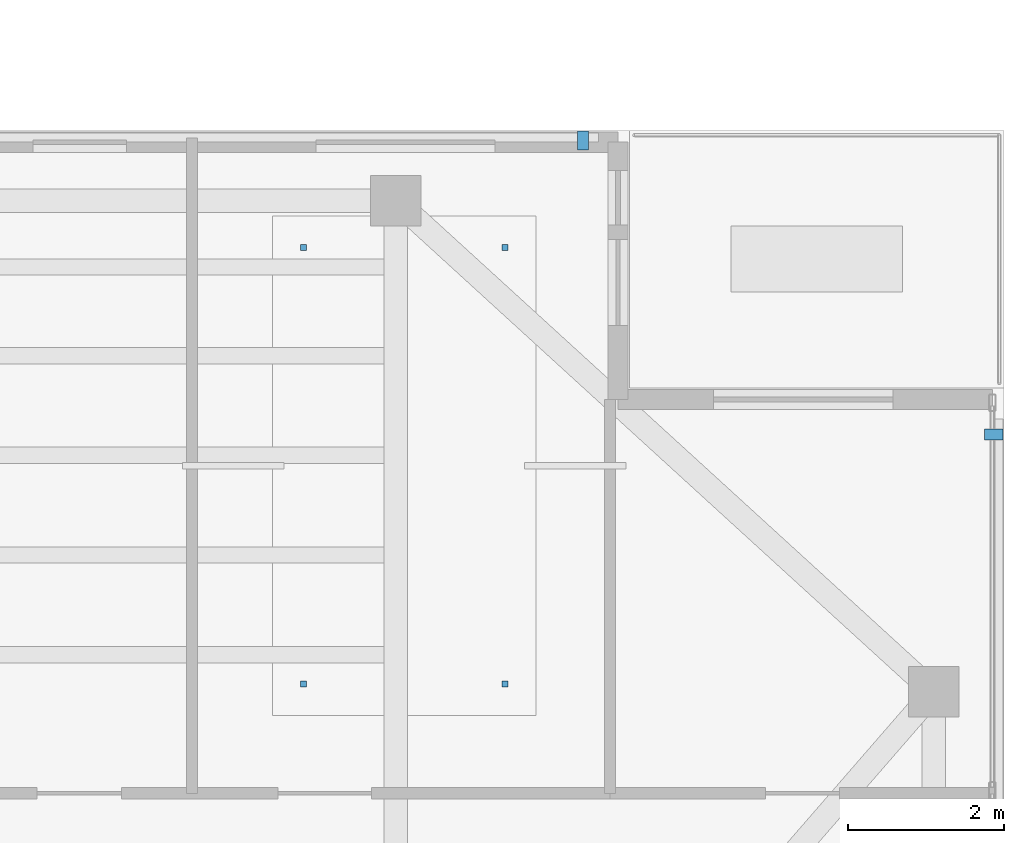
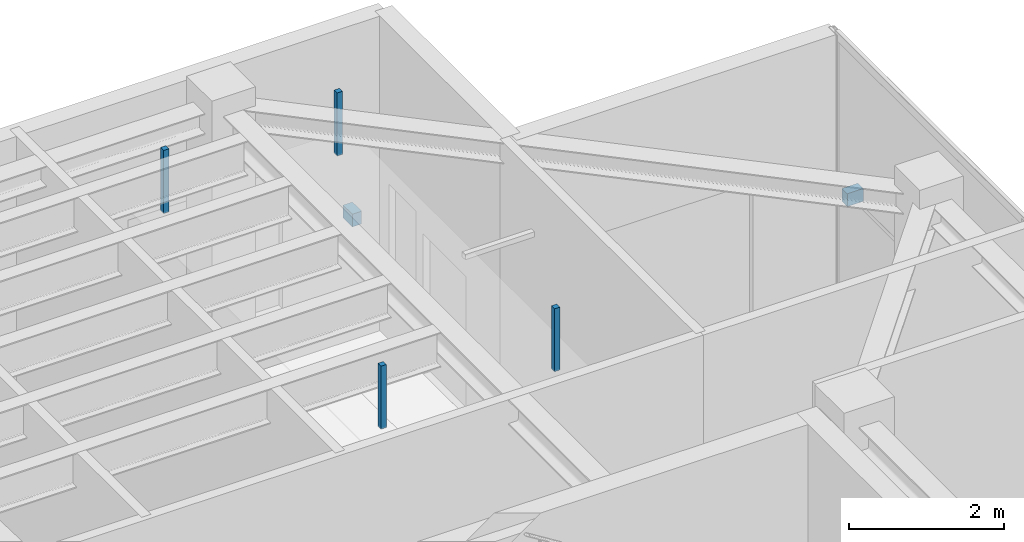
# One storey, part 20 of 23: 6 discrete accessories.
"""IFC4 building model written with IfcOpenShell, lengths in metres."""

from ifc_helpers import new_model, si_unit, direction, frame, origin, origin_2d, place, context, subcontext, project, spatial, rectangle, extrude, material, type_object, element, save


model = new_model("IFC4")

# Units and contexts
model_context = context("Model", 3, precision=1e-05, world=origin(), true_north=direction((0.0, 1.0)))
body_context = subcontext(model_context, "Body", "Model", "MODEL_VIEW")
ifc_project = project(units=[si_unit("LENGTHUNIT", "METRE"), si_unit("AREAUNIT", "SQUARE_METRE"), si_unit("VOLUMEUNIT", "CUBIC_METRE"), si_unit("PLANEANGLEUNIT", "RADIAN"), si_unit("MASSUNIT", "GRAM", prefix="KILO")], contexts=[model_context])

# Site, building, storey
site_placement = place(None, origin())
site = spatial("IfcSite", under=ifc_project, at=site_placement, CompositionType="ELEMENT")
building_placement = place(site_placement, origin())
building = spatial("IfcBuilding", under=site, at=building_placement, Name="Tarnavaz Court Tower", CompositionType="ELEMENT")
storey_placement = place(building_placement, frame((0.0, 0.0, 276.300048828125)))
storey = spatial("IfcBuildingStorey", under=building, at=storey_placement, Name="L75", CompositionType="ELEMENT", Elevation=276.300048828125)

# Discrete accessories
ifc_material = material(Name="Anodised Aluminium 6063-T6", Category="aluminium")
discrete_accessory_type = type_object("IfcDiscreteAccessoryType", Name="DA-BRKT-ALU", PredefinedType="BRACKET", material=ifc_material)
for number, where, z_axis, x_axis, name in (
    (1, (17.39990234375, 20.8701171875, 1.75), (0.0, 0.0, 1.0), (1.0, 0.0, 0.0), "L75 Baguette Outrigger Bracket FBG09-2"),
    (2, (22.669921875, 17.10009765625, 2.5), (0.0, 0.0, 1.0), (0.0, -1.0, 0.0), "L75 Baguette Outrigger Bracket OBG12-1"),
):
    element("IfcDiscreteAccessory", number, at=place(storey_placement, frame(where, z_axis=z_axis, x_axis=x_axis)), inside=storey, type_object=discrete_accessory_type, Name=name, PredefinedType="BRACKET", context=body_context, shape_type="SweptSolid", body=[
        extrude(rectangle(XDim=0.139892578125, YDim=0.239990234375, at=origin_2d()), origin(), (0.0, 0.0, 1.0), 0.199951171875),
    ])
for number, where, z_axis, x_axis, name in (
    (3, (13.81689453125, 13.89990234375, 3.98974609375), (0.0, 0.0, 1.0), (1.0, 0.0, 0.0), "L75 Ceiling Suspension Hanger Bracket 04-1"),
    (4, (16.39990234375, 13.89990234375, 3.98974609375), (0.0, 0.0, 1.0), (1.0, 0.0, 0.0), "L75 Ceiling Suspension Hanger Bracket 04-2"),
    (5, (16.39990234375, 19.5, 3.98974609375), (0.0, 0.0, 1.0), (1.0, 0.0, 0.0), "L75 Ceiling Suspension Hanger Bracket 04-3"),
    (6, (13.81689453125, 19.5, 3.98974609375), (0.0, 0.0, 1.0), (1.0, 0.0, 0.0), "L75 Ceiling Suspension Hanger Bracket 04-4"),
):
    element("IfcDiscreteAccessory", number, at=place(storey_placement, frame(where, z_axis=z_axis, x_axis=x_axis)), inside=storey, type_object=discrete_accessory_type, Name=name, PredefinedType="BRACKET", context=body_context, shape_type="SweptSolid", body=[
        extrude(rectangle(XDim=0.080078125, YDim=0.080078125, at=origin_2d()), origin(), (0.0, 0.0, 1.0), 0.989990234375),
    ])

save(model, "model.ifc")
